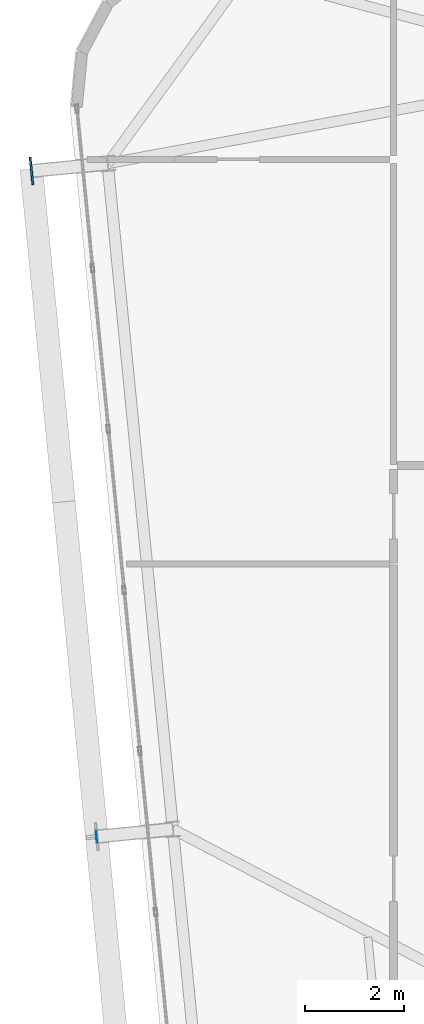
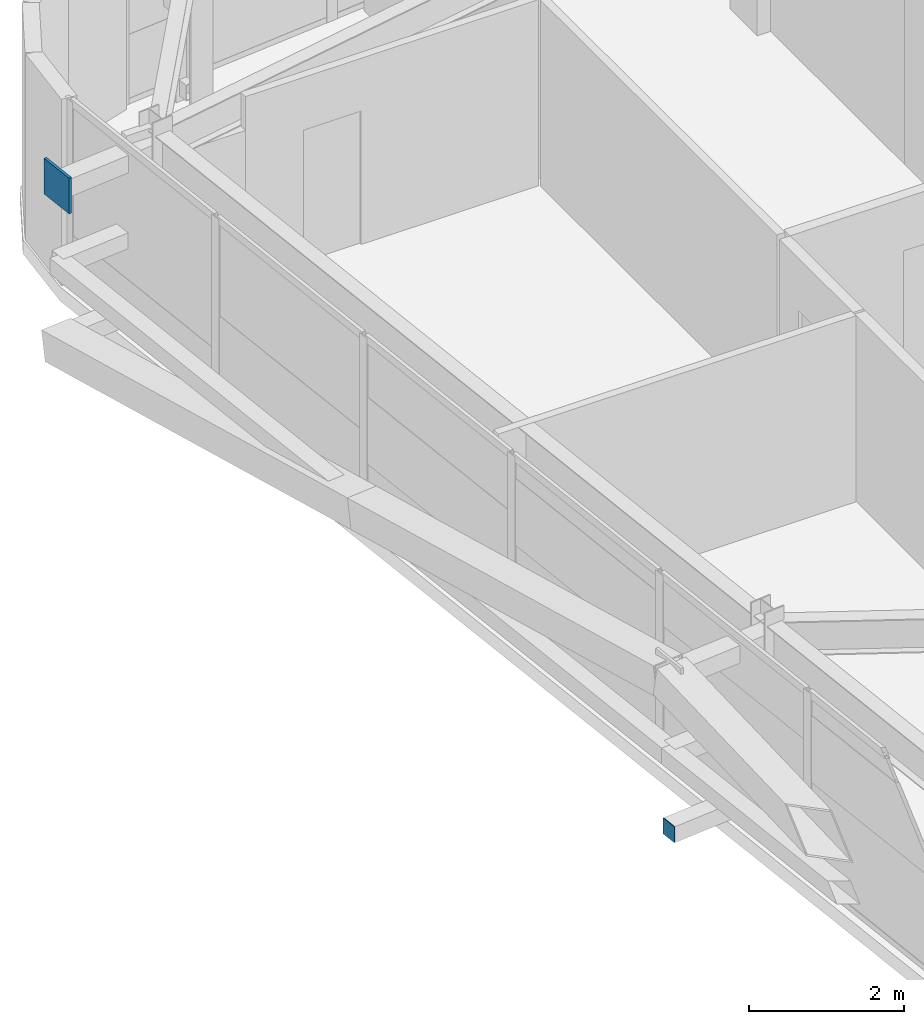
# One storey, part 40 of 52: 2 plates.
"""IFC4 building model written with IfcOpenShell, lengths in metres."""

from ifc_helpers import new_model, si_unit, direction, frame, origin, origin_2d, place, context, subcontext, project, spatial, rectangle, extrude, source, transform, mapped, material, layer, layer_set, type_object, element, save


model = new_model("IFC4")

# Units and contexts
model_context = context("Model", 3, precision=1e-05, world=origin(), true_north=direction((0.0, 1.0)))
body_context = subcontext(model_context, "Body", "Model", "MODEL_VIEW")
ifc_project = project(units=[si_unit("LENGTHUNIT", "METRE"), si_unit("AREAUNIT", "SQUARE_METRE"), si_unit("VOLUMEUNIT", "CUBIC_METRE"), si_unit("PLANEANGLEUNIT", "RADIAN"), si_unit("MASSUNIT", "GRAM", prefix="KILO")], contexts=[model_context])

# Site, building, storey
site_placement = place(None, origin())
site = spatial("IfcSite", under=ifc_project, at=site_placement, CompositionType="ELEMENT")
building_placement = place(site_placement, origin())
building = spatial("IfcBuilding", under=site, at=building_placement, Name="Taldren Reach Tower", CompositionType="ELEMENT")
storey_placement = place(building_placement, frame((0.0, 0.0, 74.550048828125)))
storey = spatial("IfcBuildingStorey", under=building, at=storey_placement, Name="L22", CompositionType="ELEMENT", Elevation=74.550048828125)

# Plates
ifc_material_1 = material(Name="Steel Gr 450 (C450L0)", Category="steel")
ifc_layer_1 = layer(ifc_material_1, 0.0400390625)
ifc_layer_set_1 = layer_set([ifc_layer_1], Name="Steel Gr 450 (C450L0)")
plate_type_1 = type_object("IfcPlateType", Name="PL-GUSSET-40", PredefinedType="SHEET", material=ifc_layer_set_1)
shared_shape_1 = source(origin(), body_context, "Body", "SweptSolid", [
    extrude(rectangle(XDim=0.56005859375, YDim=0.0400390625, at=origin_2d()), origin(), (0.0, 0.0, 1.0), 0.56005859375),
])
plate_1_placement = place(storey_placement, frame((7.265625, 29.965087890625, 2.369873046875), z_axis=(0.0, 0.0, 1.0), x_axis=(-0.097582899759, 0.995227399982, 0.0)))
element("IfcPlate", 1, at=plate_1_placement, inside=storey, type_object=plate_type_1, Name="Exoskeleton star-node gusset plate B2-W3 L22", PredefinedType="SHEET", context=body_context, shape_type="MappedRepresentation", body=[
    mapped(shared_shape_1, transform((0.0, 0.0, 0.0), scale=1.0)),
])
ifc_material_2 = material(Name="Steel Gr 350 (C350L0)", Category="steel")
ifc_layer_2 = layer(ifc_material_2, 0.011962890625)
ifc_layer_set_2 = layer_set([ifc_layer_2], Name="Steel Gr 350 (C350L0)")
plate_type_2 = type_object("IfcPlateType", Name="PL-CAP-250", PredefinedType="SHEET", material=ifc_layer_set_2)
shared_shape_2 = source(origin(), body_context, "Body", "SweptSolid", [
    extrude(rectangle(XDim=0.011962890625, YDim=0.25, at=origin_2d()), origin(), (0.0, 0.0, 1.0), 0.25),
])
plate_2_placement = place(storey_placement, frame((8.58203125, 16.479248046875, 0.094970703125), z_axis=(0.0, 0.0, 1.0), x_axis=(0.995227399982, 0.097582899759, 0.0)))
element("IfcPlate", 2, at=plate_2_placement, inside=storey, type_object=plate_type_2, Name="Tie strut end cap plate B2-W2 L22", PredefinedType="SHEET", context=body_context, shape_type="MappedRepresentation", body=[
    mapped(shared_shape_2, transform((0.0, 0.0, 0.0), scale=1.0)),
])

save(model, "model.ifc")
